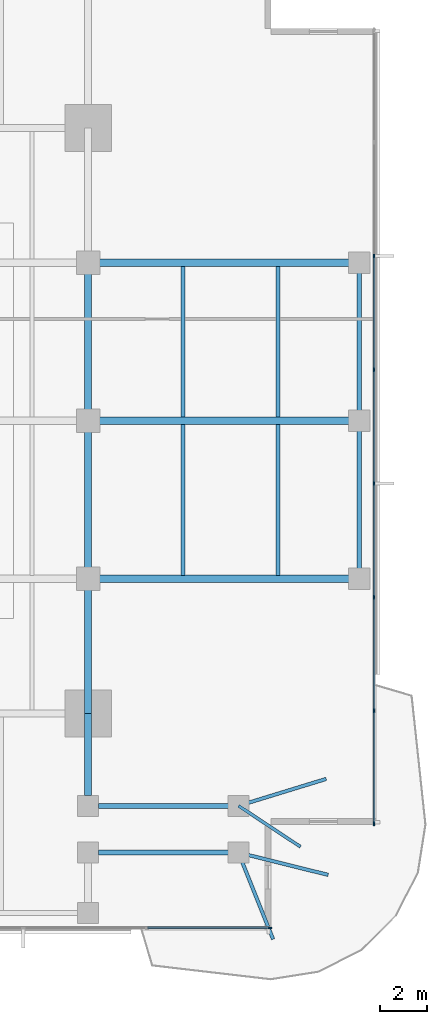
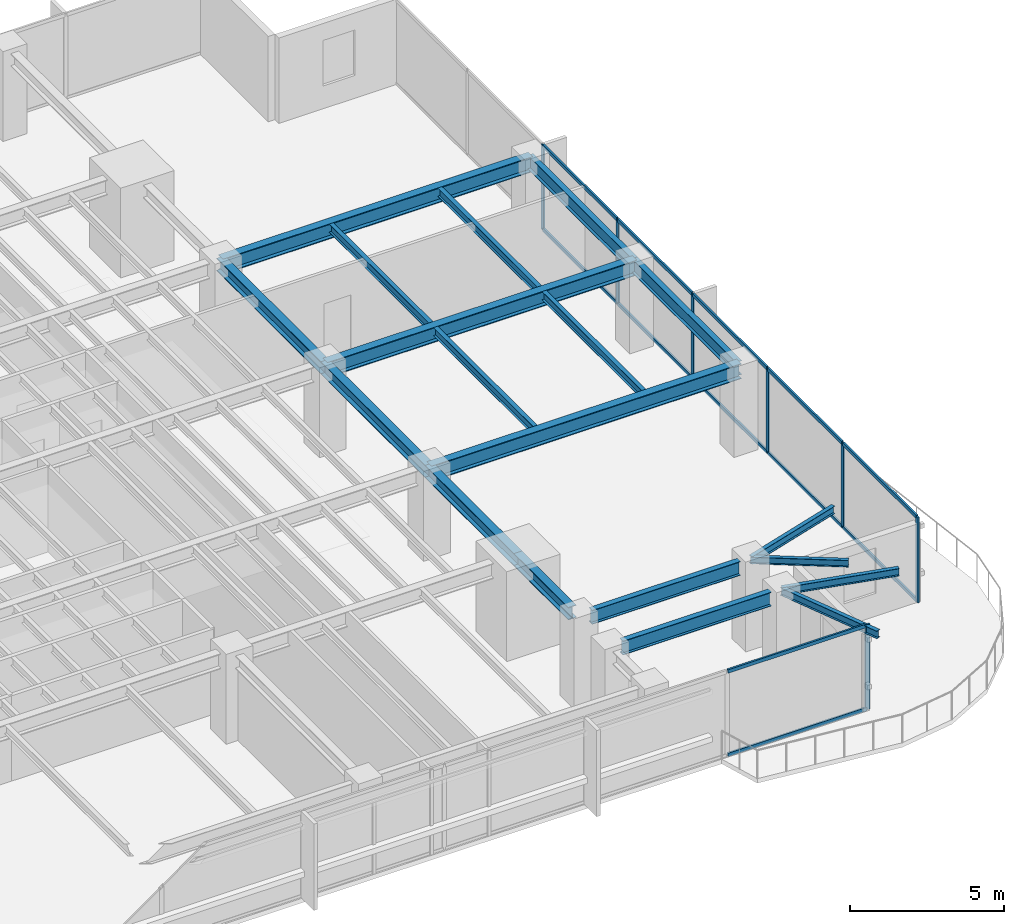
# One storey, part 4 of 14: 19 beams, 19 members, 2 elements without a shape of their own.
"""IFC4 building model written with IfcOpenShell, lengths in metres."""

from ifc_helpers import new_model, si_unit, direction, frame, origin, origin_2d, place, context, subcontext, project, spatial, rectangle, i_section, extrude, material, layer, layer_set, material_profile, profile_set, type_object, element, aggregate, save


model = new_model("IFC4")

# Units and contexts
model_context = context("Model", 3, precision=1e-05, world=origin(), true_north=direction((0.0, 1.0)))
body_context = subcontext(model_context, "Body", "Model", "MODEL_VIEW")
ifc_project = project(units=[si_unit("LENGTHUNIT", "METRE"), si_unit("AREAUNIT", "SQUARE_METRE"), si_unit("VOLUMEUNIT", "CUBIC_METRE"), si_unit("PLANEANGLEUNIT", "RADIAN"), si_unit("MASSUNIT", "GRAM", prefix="KILO")], contexts=[model_context])

# Site, building, storey
site_placement = place(None, origin())
site = spatial("IfcSite", under=ifc_project, at=site_placement, CompositionType="ELEMENT")
building_placement = place(site_placement, origin())
building = spatial("IfcBuilding", under=site, at=building_placement, Name="Kinhvarn Gate Tower", CompositionType="ELEMENT")
storey_placement = place(building_placement, frame((0.0, 0.0, 159.050048828125)))
storey = spatial("IfcBuildingStorey", under=building, at=storey_placement, Name="L42", CompositionType="ELEMENT", Elevation=159.050048828125)

# Curtain wall, member
ifc_material_1 = material(Name="Anodised aluminium AW-6063", Category="aluminium")
ifc_layer = layer(ifc_material_1, 0.179931640625)
ifc_layer_set = layer_set([ifc_layer], Name="Anodised aluminium AW-6063")
curtain_wall_type = type_object("IfcCurtainWallType", Name="CW-SYS-3", PredefinedType="NOTDEFINED", material=ifc_layer_set)
curtain_wall_1_placement = place(storey_placement, origin())
curtain_wall_1 = element("IfcCurtainWall", 1, at=curtain_wall_1_placement, inside=storey, type_object=curtain_wall_type, Name="Curtain Wall CW3 (L42)", PredefinedType="NOTDEFINED")
ifc_material_profile_1 = material_profile(ifc_material_1, rectangle(XDim=0.06494140625, YDim=0.159912109375, at=origin_2d()), Name="ALU 65x160")
ifc_profile_set_1 = profile_set([ifc_material_profile_1], Name="Anodised aluminium AW-6063")
member_type_1 = type_object("IfcMemberType", Name="CW-MUL-160", PredefinedType="MULLION", material=ifc_profile_set_1)
member_1_placement = place(storey_placement, frame((45.967529296875, 3.590087890625, 0.0), z_axis=(0.0, 0.0, 1.0), x_axis=(0.0, 1.0, 0.0)))
member_1 = element("IfcMember", 2, at=member_1_placement, type_object=member_type_1, Name="CW3 mullion 8", PredefinedType="MULLION", context=body_context, shape_type="SweptSolid", body=[
    extrude(rectangle(XDim=0.06494140625, YDim=0.159912109375, at=origin_2d()), origin(), (0.0, 0.0, 1.0), 3.369873046875),
])

# Curtain wall, members
curtain_wall_2_placement = place(storey_placement, origin())
curtain_wall_2 = element("IfcCurtainWall", 3, at=curtain_wall_2_placement, inside=storey, type_object=curtain_wall_type, Name="Curtain Wall CW3 (L42)", PredefinedType="NOTDEFINED")
member_2_placement = place(storey_placement, frame((50.409912109375, 8.032470703125, 0.0), z_axis=(0.0, 0.0, 1.0), x_axis=(-1.0, 0.0, 0.0)))
member_2 = element("IfcMember", 4, at=member_2_placement, type_object=member_type_1, Name="CW3 mullion 1", PredefinedType="MULLION", context=body_context, shape_type="SweptSolid", body=[
    extrude(rectangle(XDim=0.06494140625, YDim=0.159912109375, at=origin_2d()), origin(), (0.0, 0.0, 1.0), 3.369873046875),
])
member_3_placement = place(storey_placement, frame((50.409912109375, 12.857177734375, 0.0), z_axis=(0.0, 0.0, 1.0), x_axis=(-1.0, 0.0, 0.0)))
member_3 = element("IfcMember", 5, at=member_3_placement, type_object=member_type_1, Name="CW3 mullion 2", PredefinedType="MULLION", context=body_context, shape_type="SweptSolid", body=[
    extrude(rectangle(XDim=0.06494140625, YDim=0.159912109375, at=origin_2d()), origin(), (0.0, 0.0, 1.0), 3.369873046875),
])
member_4_placement = place(storey_placement, frame((50.409912109375, 17.71435546875, 0.0), z_axis=(0.0, 0.0, 1.0), x_axis=(-1.0, 0.0, 0.0)))
member_4 = element("IfcMember", 6, at=member_4_placement, type_object=member_type_1, Name="CW3 mullion 3", PredefinedType="MULLION", context=body_context, shape_type="SweptSolid", body=[
    extrude(rectangle(XDim=0.06494140625, YDim=0.159912109375, at=origin_2d()), origin(), (0.0, 0.0, 1.0), 3.369873046875),
])
member_5_placement = place(storey_placement, frame((50.409912109375, 22.571533203125, 0.0), z_axis=(0.0, 0.0, 1.0), x_axis=(-1.0, 0.0, 0.0)))
member_5 = element("IfcMember", 7, at=member_5_placement, type_object=member_type_1, Name="CW3 mullion 4", PredefinedType="MULLION", context=body_context, shape_type="SweptSolid", body=[
    extrude(rectangle(XDim=0.06494140625, YDim=0.159912109375, at=origin_2d()), origin(), (0.0, 0.0, 1.0), 3.369873046875),
])
member_6_placement = place(storey_placement, frame((50.409912109375, 27.428466796875, 0.0), z_axis=(0.0, 0.0, 1.0), x_axis=(-1.0, 0.0, 0.0)))
member_6 = element("IfcMember", 8, at=member_6_placement, type_object=member_type_1, Name="CW3 mullion 5", PredefinedType="MULLION", context=body_context, shape_type="SweptSolid", body=[
    extrude(rectangle(XDim=0.06494140625, YDim=0.159912109375, at=origin_2d()), origin(), (0.0, 0.0, 1.0), 3.369873046875),
])
member_7_placement = place(storey_placement, frame((50.409912109375, 32.28564453125, 0.0), z_axis=(0.0, 0.0, 1.0), x_axis=(-1.0, 0.0, 0.0)))
member_7 = element("IfcMember", 9, at=member_7_placement, type_object=member_type_1, Name="CW3 mullion 6", PredefinedType="MULLION", context=body_context, shape_type="SweptSolid", body=[
    extrude(rectangle(XDim=0.06494140625, YDim=0.159912109375, at=origin_2d()), origin(), (0.0, 0.0, 1.0), 3.369873046875),
])

# Member
ifc_material_profile_2 = material_profile(ifc_material_1, rectangle(XDim=0.070068359375, YDim=0.139892578125, at=origin_2d()), Name="ALU 70x140")
ifc_profile_set_2 = profile_set([ifc_material_profile_2], Name="Anodised aluminium AW-6063")
member_type_2 = type_object("IfcMemberType", Name="CW-TRN-140", PredefinedType="USERDEFINED", material=ifc_profile_set_2)
member_8_placement = place(storey_placement, frame((40.746826171875, 3.590087890625, 0.034912109375), z_axis=(1.0, 0.0, 0.0), x_axis=(0.0, 1.0, 0.0)))
member_8 = element("IfcMember", 10, at=member_8_placement, type_object=member_type_2, Name="CW3 transom 7.1", ObjectType="TRANSOM", PredefinedType="USERDEFINED", context=body_context, shape_type="SweptSolid", body=[
    extrude(rectangle(XDim=0.070068359375, YDim=0.139892578125, at=origin_2d()), origin(), (0.0, 0.0, 1.0), 5.188232421875),
])

member_9_placement = place(storey_placement, frame((40.746826171875, 3.590087890625, 3.3349609375), z_axis=(1.0, 0.0, 0.0), x_axis=(0.0, 1.0, 0.0)))
member_9 = element("IfcMember", 11, at=member_9_placement, type_object=member_type_2, Name="CW3 transom 7.2", ObjectType="TRANSOM", PredefinedType="USERDEFINED", context=body_context, shape_type="SweptSolid", body=[
    extrude(rectangle(XDim=0.070068359375, YDim=0.139892578125, at=origin_2d()), origin(), (0.0, 0.0, 1.0), 5.188232421875),
])

aggregate(curtain_wall_1, [member_1, member_8, member_9])

member_10_placement = place(storey_placement, frame((50.409912109375, 8.06494140625, 0.034912109375), z_axis=(0.0, 1.0, 0.0), x_axis=(-1.0, 0.0, 0.0)))
member_10 = element("IfcMember", 12, at=member_10_placement, type_object=member_type_2, Name="CW3 transom 1.1", ObjectType="TRANSOM", PredefinedType="USERDEFINED", context=body_context, shape_type="SweptSolid", body=[
    extrude(rectangle(XDim=0.070068359375, YDim=0.139892578125, at=origin_2d()), origin(), (0.0, 0.0, 1.0), 4.759765625),
])

member_11_placement = place(storey_placement, frame((50.409912109375, 8.06494140625, 3.3349609375), z_axis=(0.0, 1.0, 0.0), x_axis=(-1.0, 0.0, 0.0)))
member_11 = element("IfcMember", 13, at=member_11_placement, type_object=member_type_2, Name="CW3 transom 1.2", ObjectType="TRANSOM", PredefinedType="USERDEFINED", context=body_context, shape_type="SweptSolid", body=[
    extrude(rectangle(XDim=0.070068359375, YDim=0.139892578125, at=origin_2d()), origin(), (0.0, 0.0, 1.0), 4.759765625),
])

member_12_placement = place(storey_placement, frame((50.409912109375, 12.8896484375, 0.034912109375), z_axis=(0.0, 1.0, 0.0), x_axis=(-1.0, 0.0, 0.0)))
member_12 = element("IfcMember", 14, at=member_12_placement, type_object=member_type_2, Name="CW3 transom 2.1", ObjectType="TRANSOM", PredefinedType="USERDEFINED", context=body_context, shape_type="SweptSolid", body=[
    extrude(rectangle(XDim=0.070068359375, YDim=0.139892578125, at=origin_2d()), origin(), (0.0, 0.0, 1.0), 4.792236328125),
])

member_13_placement = place(storey_placement, frame((50.409912109375, 12.8896484375, 3.3349609375), z_axis=(0.0, 1.0, 0.0), x_axis=(-1.0, 0.0, 0.0)))
member_13 = element("IfcMember", 15, at=member_13_placement, type_object=member_type_2, Name="CW3 transom 2.2", ObjectType="TRANSOM", PredefinedType="USERDEFINED", context=body_context, shape_type="SweptSolid", body=[
    extrude(rectangle(XDim=0.070068359375, YDim=0.139892578125, at=origin_2d()), origin(), (0.0, 0.0, 1.0), 4.792236328125),
])

member_14_placement = place(storey_placement, frame((50.409912109375, 17.746826171875, 0.034912109375), z_axis=(0.0, 1.0, 0.0), x_axis=(-1.0, 0.0, 0.0)))
member_14 = element("IfcMember", 16, at=member_14_placement, type_object=member_type_2, Name="CW3 transom 3.1", ObjectType="TRANSOM", PredefinedType="USERDEFINED", context=body_context, shape_type="SweptSolid", body=[
    extrude(rectangle(XDim=0.070068359375, YDim=0.139892578125, at=origin_2d()), origin(), (0.0, 0.0, 1.0), 4.7919921875),
])

member_15_placement = place(storey_placement, frame((50.409912109375, 17.746826171875, 3.3349609375), z_axis=(0.0, 1.0, 0.0), x_axis=(-1.0, 0.0, 0.0)))
member_15 = element("IfcMember", 17, at=member_15_placement, type_object=member_type_2, Name="CW3 transom 3.2", ObjectType="TRANSOM", PredefinedType="USERDEFINED", context=body_context, shape_type="SweptSolid", body=[
    extrude(rectangle(XDim=0.070068359375, YDim=0.139892578125, at=origin_2d()), origin(), (0.0, 0.0, 1.0), 4.7919921875),
])

member_16_placement = place(storey_placement, frame((50.409912109375, 22.60400390625, 0.034912109375), z_axis=(0.0, 1.0, 0.0), x_axis=(-1.0, 0.0, 0.0)))
member_16 = element("IfcMember", 18, at=member_16_placement, type_object=member_type_2, Name="CW3 transom 4.1", ObjectType="TRANSOM", PredefinedType="USERDEFINED", context=body_context, shape_type="SweptSolid", body=[
    extrude(rectangle(XDim=0.070068359375, YDim=0.139892578125, at=origin_2d()), origin(), (0.0, 0.0, 1.0), 4.7919921875),
])

member_17_placement = place(storey_placement, frame((50.409912109375, 22.60400390625, 3.3349609375), z_axis=(0.0, 1.0, 0.0), x_axis=(-1.0, 0.0, 0.0)))
member_17 = element("IfcMember", 19, at=member_17_placement, type_object=member_type_2, Name="CW3 transom 4.2", ObjectType="TRANSOM", PredefinedType="USERDEFINED", context=body_context, shape_type="SweptSolid", body=[
    extrude(rectangle(XDim=0.070068359375, YDim=0.139892578125, at=origin_2d()), origin(), (0.0, 0.0, 1.0), 4.7919921875),
])

member_18_placement = place(storey_placement, frame((50.409912109375, 27.461181640625, 0.034912109375), z_axis=(0.0, 1.0, 0.0), x_axis=(-1.0, 0.0, 0.0)))
member_18 = element("IfcMember", 20, at=member_18_placement, type_object=member_type_2, Name="CW3 transom 5.1", ObjectType="TRANSOM", PredefinedType="USERDEFINED", context=body_context, shape_type="SweptSolid", body=[
    extrude(rectangle(XDim=0.070068359375, YDim=0.139892578125, at=origin_2d()), origin(), (0.0, 0.0, 1.0), 4.7919921875),
])

member_19_placement = place(storey_placement, frame((50.409912109375, 27.461181640625, 3.3349609375), z_axis=(0.0, 1.0, 0.0), x_axis=(-1.0, 0.0, 0.0)))
member_19 = element("IfcMember", 21, at=member_19_placement, type_object=member_type_2, Name="CW3 transom 5.2", ObjectType="TRANSOM", PredefinedType="USERDEFINED", context=body_context, shape_type="SweptSolid", body=[
    extrude(rectangle(XDim=0.070068359375, YDim=0.139892578125, at=origin_2d()), origin(), (0.0, 0.0, 1.0), 4.7919921875),
])

aggregate(curtain_wall_2, [member_2, member_3, member_4, member_5, member_6, member_7, member_10, member_11, member_12, member_13, member_14, member_15, member_16, member_17, member_18, member_19])

# Beams
ifc_material_2 = material(Name="Steel S355", Category="steel")
ifc_material_profile_3 = material_profile(ifc_material_2, i_section(OverallWidth=0.300048828125, OverallDepth=0.5, WebThickness=0.014404296875, FlangeThickness=0.028076171875, at=origin_2d()), Name="HEB 500")
ifc_profile_set_3 = profile_set([ifc_material_profile_3], Name="Steel S355")
beam_type_1 = type_object("IfcBeamType", Name="STL-HEB500", PredefinedType="BEAM", material=ifc_profile_set_3)
beam_1_placement = place(storey_placement, frame((38.199951171875, 9.235107421875, 3.119873046875), z_axis=(0.0, 1.0, 0.0), x_axis=(-1.0, 0.0, 0.0)))
element("IfcBeam", 22, at=beam_1_placement, inside=storey, type_object=beam_type_1, Name="Floor Beam PG-14 (L42 MCE-S-A2)", PredefinedType="BEAM", context=body_context, shape_type="SweptSolid", body=[
    extrude(i_section(OverallWidth=0.300048828125, OverallDepth=0.5, WebThickness=0.014404296875, FlangeThickness=0.028076171875, at=origin_2d()), origin(), (0.0, 0.0, 1.0), 3.514892578125),
])
beam_2_placement = place(storey_placement, frame((38.199951171875, 12.75, 3.119873046875), z_axis=(0.0, 1.0, 0.0), x_axis=(-1.0, 0.0, 0.0)))
element("IfcBeam", 23, at=beam_2_placement, inside=storey, type_object=beam_type_1, Name="Floor Beam PG-14 (L42 MG-E-12)", PredefinedType="BEAM", context=body_context, shape_type="SweptSolid", body=[
    extrude(i_section(OverallWidth=0.300048828125, OverallDepth=0.5, WebThickness=0.014404296875, FlangeThickness=0.028076171875, at=origin_2d()), origin(), (0.0, 0.0, 1.0), 5.75),
])
for number, where, z_axis, x_axis, name in (
    (24, (38.199951171875, 18.5, 3.119873046875), (0.0, 1.0, 0.0), (-1.0, 0.0, 0.0), "Floor Beam PG-14 (L42 MG-E-18)"),
    (25, (38.199951171875, 25.25, 3.119873046875), (0.0, 1.0, 0.0), (-1.0, 0.0, 0.0), "Floor Beam PG-14 (L42 MG-E-25)"),
):
    element("IfcBeam", number, at=place(storey_placement, frame(where, z_axis=z_axis, x_axis=x_axis)), inside=storey, type_object=beam_type_1, Name=name, PredefinedType="BEAM", context=body_context, shape_type="SweptSolid", body=[
        extrude(i_section(OverallWidth=0.300048828125, OverallDepth=0.5, WebThickness=0.014404296875, FlangeThickness=0.028076171875, at=origin_2d()), origin(), (0.0, 0.0, 1.0), 6.75),
    ])
ifc_material_profile_4 = material_profile(ifc_material_2, i_section(OverallWidth=0.300048828125, OverallDepth=0.60009765625, WebThickness=0.015380859375, FlangeThickness=0.030029296875, at=origin_2d()), Name="HEB 600")
ifc_profile_set_4 = profile_set([ifc_material_profile_4], Name="Steel S355")
beam_type_2 = type_object("IfcBeamType", Name="STL-HEB600", PredefinedType="BEAM", material=ifc_profile_set_4)
for number, where, z_axis, x_axis, name in (
    (26, (38.199951171875, 18.5, 3.070068359375), (1.0, 0.0, 0.0), (0.0, 1.0, 0.0), "Floor Beam PG-16 (L42 EW2-Y18)"),
    (27, (38.199951171875, 25.25, 3.070068359375), (1.0, 0.0, 0.0), (0.0, 1.0, 0.0), "Floor Beam PG-16 (L42 EW2-Y25)"),
    (28, (38.199951171875, 32.0, 3.070068359375), (1.0, 0.0, 0.0), (0.0, 1.0, 0.0), "Floor Beam PG-16 (L42 EW2-Y32)"),
):
    element("IfcBeam", number, at=place(storey_placement, frame(where, z_axis=z_axis, x_axis=x_axis)), inside=storey, type_object=beam_type_2, Name=name, PredefinedType="BEAM", context=body_context, shape_type="SweptSolid", body=[
        extrude(i_section(OverallWidth=0.300048828125, OverallDepth=0.60009765625, WebThickness=0.015380859375, FlangeThickness=0.030029296875, at=origin_2d()), origin(), (0.0, 0.0, 1.0), 11.580078125),
    ])
ifc_material_profile_5 = material_profile(ifc_material_2, i_section(OverallWidth=0.135009765625, OverallDepth=0.27001953125, WebThickness=0.006591796875, FlangeThickness=0.01025390625, at=origin_2d()), Name="IPE 270")
ifc_profile_set_5 = profile_set([ifc_material_profile_5], Name="Steel S355")
beam_type_3 = type_object("IfcBeamType", Name="STL-IPE270", PredefinedType="JOIST", material=ifc_profile_set_5)
beam_3_placement = place(storey_placement, frame((44.6201171875, 8.800048828125, 3.23486328125), z_axis=(0.834455271211, -0.5510756757, 0.0), x_axis=(0.5510756757, 0.834455271211, 0.0)))
element("IfcBeam", 29, at=beam_3_placement, inside=storey, type_object=beam_type_3, Name="Floor Joist SB-01 (L42 BAL-B3-L43)", PredefinedType="JOIST", context=body_context, shape_type="SweptSolid", body=[
    extrude(i_section(OverallWidth=0.135009765625, OverallDepth=0.27001953125, WebThickness=0.006591796875, FlangeThickness=0.01025390625, at=origin_2d()), origin(), (0.0, 0.0, 1.0), 3.175537109375),
])
ifc_material_profile_6 = material_profile(ifc_material_2, i_section(OverallWidth=0.14990234375, OverallDepth=0.300048828125, WebThickness=0.007080078125, FlangeThickness=0.0107421875, at=origin_2d()), Name="IPE 300")
ifc_profile_set_6 = profile_set([ifc_material_profile_6], Name="Steel S355")
beam_type_4 = type_object("IfcBeamType", Name="STL-IPE300", PredefinedType="JOIST", material=ifc_profile_set_6)
beam_4_placement = place(storey_placement, frame((44.6201171875, 6.800048828125, 3.219970703125), z_axis=(0.97058851083, -0.240744558911, 0.0), x_axis=(0.240744558911, 0.97058851083, 0.0)))
element("IfcBeam", 30, at=beam_4_placement, inside=storey, type_object=beam_type_4, Name="Floor Joist SB-02 (L42 BAL-B1-L43)", PredefinedType="JOIST", context=body_context, shape_type="SweptSolid", body=[
    extrude(i_section(OverallWidth=0.14990234375, OverallDepth=0.300048828125, WebThickness=0.007080078125, FlangeThickness=0.0107421875, at=origin_2d()), origin(), (0.0, 0.0, 1.0), 3.94580078125),
])
beam_5_placement = place(storey_placement, frame((44.6201171875, 6.800048828125, 3.219970703125), z_axis=(0.371390676354, -0.928476690885, 0.0), x_axis=(0.928476690885, 0.371390676354, 0.0)))
element("IfcBeam", 31, at=beam_5_placement, inside=storey, type_object=beam_type_4, Name="Floor Joist SB-02 (L42 BAL-B2-L43)", PredefinedType="JOIST", context=body_context, shape_type="SweptSolid", body=[
    extrude(i_section(OverallWidth=0.14990234375, OverallDepth=0.300048828125, WebThickness=0.007080078125, FlangeThickness=0.0107421875, at=origin_2d()), origin(), (0.0, 0.0, 1.0), 3.98486328125),
])
beam_6_placement = place(storey_placement, frame((44.6201171875, 8.800048828125, 3.219970703125), z_axis=(0.95606118681, 0.293167199862, 0.0), x_axis=(-0.293167199862, 0.95606118681, 0.0)))
element("IfcBeam", 32, at=beam_6_placement, inside=storey, type_object=beam_type_4, Name="Floor Joist SB-02 (L42 BAL-B5-L43)", PredefinedType="JOIST", context=body_context, shape_type="SweptSolid", body=[
    extrude(i_section(OverallWidth=0.14990234375, OverallDepth=0.300048828125, WebThickness=0.007080078125, FlangeThickness=0.0107421875, at=origin_2d()), origin(), (0.0, 0.0, 1.0), 3.92236328125),
])
ifc_material_profile_7 = material_profile(ifc_material_2, i_section(OverallWidth=0.159912109375, OverallDepth=0.330078125, WebThickness=0.007568359375, FlangeThickness=0.011474609375, at=origin_2d()), Name="IPE 330")
ifc_profile_set_7 = profile_set([ifc_material_profile_7], Name="Steel S355")
beam_type_5 = type_object("IfcBeamType", Name="STL-IPE330", PredefinedType="JOIST", material=ifc_profile_set_7)
for number, where, z_axis, x_axis, name in (
    (33, (42.25, 18.64990234375, 3.204833984375), (0.0, 1.0, 0.0), (-1.0, 0.0, 0.0), "Floor Joist SB-03 (L42 JC-X422-1)"),
    (34, (42.25, 25.39990234375, 3.204833984375), (0.0, 1.0, 0.0), (-1.0, 0.0, 0.0), "Floor Joist SB-03 (L42 JC-X422-2)"),
    (35, (46.31005859375, 18.64990234375, 3.204833984375), (0.0, 1.0, 0.0), (-1.0, 0.0, 0.0), "Floor Joist SB-03 (L42 JC-X463-1)"),
    (36, (46.31005859375, 25.39990234375, 3.204833984375), (0.0, 1.0, 0.0), (-1.0, 0.0, 0.0), "Floor Joist SB-03 (L42 JC-X463-2)"),
):
    element("IfcBeam", number, at=place(storey_placement, frame(where, z_axis=z_axis, x_axis=x_axis)), inside=storey, type_object=beam_type_5, Name=name, PredefinedType="JOIST", context=body_context, shape_type="SweptSolid", body=[
        extrude(i_section(OverallWidth=0.159912109375, OverallDepth=0.330078125, WebThickness=0.007568359375, FlangeThickness=0.011474609375, at=origin_2d()), origin(), (0.0, 0.0, 1.0), 6.4501953125),
    ])
ifc_material_profile_8 = material_profile(ifc_material_2, i_section(OverallWidth=0.2099609375, OverallDepth=0.550048828125, WebThickness=0.010986328125, FlangeThickness=0.01708984375, at=origin_2d()), Name="IPE 550")
ifc_profile_set_8 = profile_set([ifc_material_profile_8], Name="Steel S355")
beam_type_6 = type_object("IfcBeamType", Name="STL-IPE550", PredefinedType="SPANDREL", material=ifc_profile_set_8)
for number, where, z_axis, x_axis, name in (
    (37, (38.635009765625, 8.800048828125, 3.094970703125), (1.0, 0.0, 0.0), (0.0, 1.0, 0.0), "Floor Spandrel SB-08 (L42 SP-SE2)"),
    (38, (38.635009765625, 6.800048828125, 3.094970703125), (1.0, 0.0, 0.0), (0.0, 1.0, 0.0), "Floor Spandrel SB-08 (L42 SP-SE2-S)"),
):
    element("IfcBeam", number, at=place(storey_placement, frame(where, z_axis=z_axis, x_axis=x_axis)), inside=storey, type_object=beam_type_6, Name=name, PredefinedType="SPANDREL", context=body_context, shape_type="SweptSolid", body=[
        extrude(i_section(OverallWidth=0.2099609375, OverallDepth=0.550048828125, WebThickness=0.010986328125, FlangeThickness=0.01708984375, at=origin_2d()), origin(), (0.0, 0.0, 1.0), 5.550048828125),
    ])
for number, where, z_axis, x_axis, name in (
    (39, (49.780029296875, 18.5, 3.094970703125), (0.0, 1.0, 0.0), (-1.0, 0.0, 0.0), "Floor Spandrel SB-08 (L42 SP-E2)"),
    (40, (49.780029296875, 25.25, 3.094970703125), (0.0, 1.0, 0.0), (-1.0, 0.0, 0.0), "Floor Spandrel SB-08 (L42 SP-E3)"),
):
    element("IfcBeam", number, at=place(storey_placement, frame(where, z_axis=z_axis, x_axis=x_axis)), inside=storey, type_object=beam_type_6, Name=name, PredefinedType="SPANDREL", context=body_context, shape_type="SweptSolid", body=[
        extrude(i_section(OverallWidth=0.2099609375, OverallDepth=0.550048828125, WebThickness=0.010986328125, FlangeThickness=0.01708984375, at=origin_2d()), origin(), (0.0, 0.0, 1.0), 6.75),
    ])

save(model, "model.ifc")
